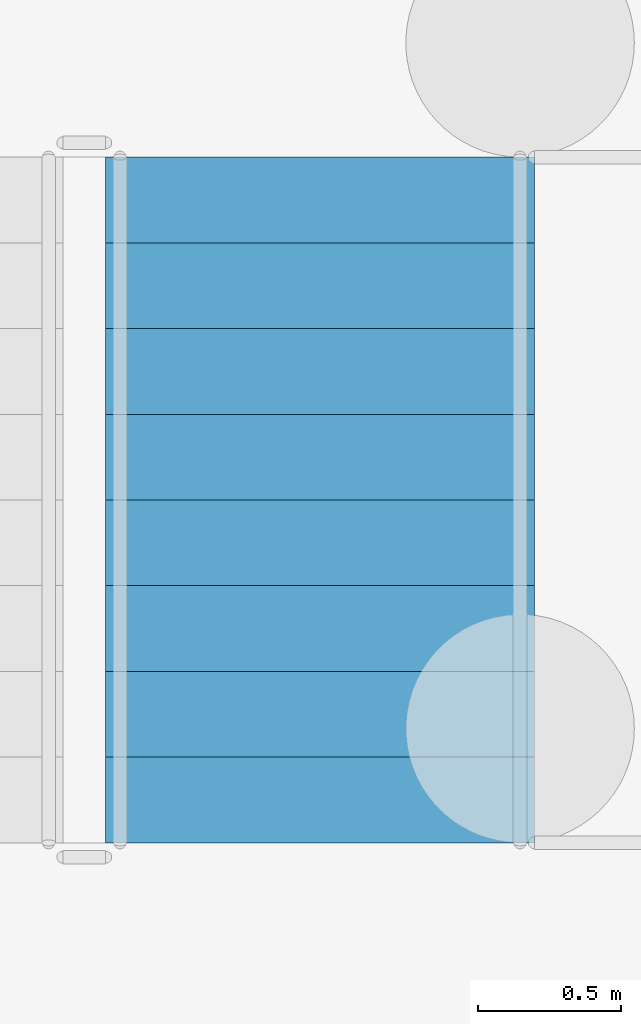
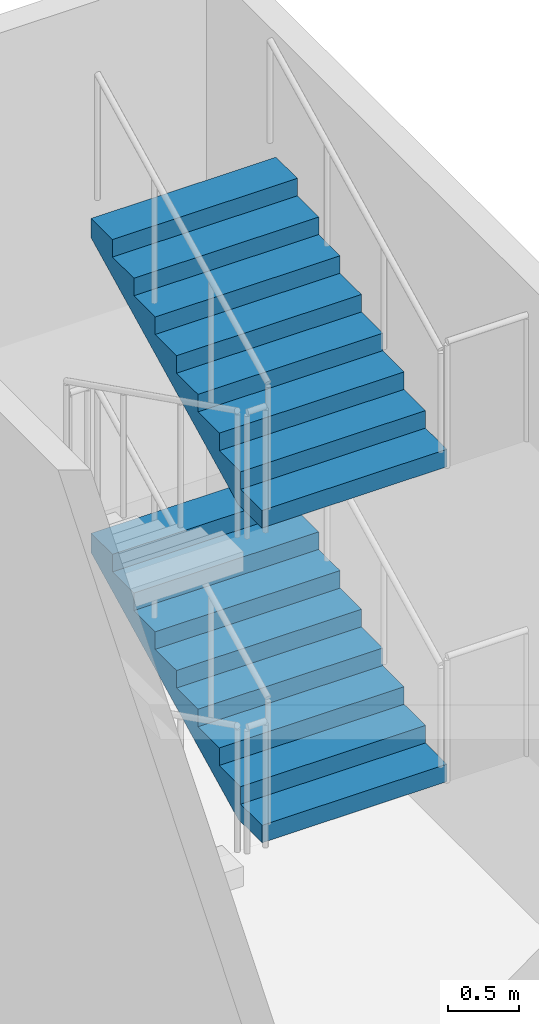
# One storey, part 97 of 129: 2 stair flights, 1 element without a shape of its own.
"""IFC4 building model written with IfcOpenShell, lengths in metres."""

from ifc_helpers import new_model, si_unit, direction, frame, origin, place, context, subcontext, project, spatial, faceted_brep, material, type_object, element, aggregate, save


model = new_model("IFC4")

# Units and contexts
model_context = context("Model", 3, precision=1e-05, world=origin(), true_north=direction((0.0, 1.0)))
body_context = subcontext(model_context, "Body", "Model", "MODEL_VIEW")
ifc_project = project(units=[si_unit("LENGTHUNIT", "METRE"), si_unit("AREAUNIT", "SQUARE_METRE"), si_unit("VOLUMEUNIT", "CUBIC_METRE"), si_unit("PLANEANGLEUNIT", "RADIAN"), si_unit("MASSUNIT", "GRAM", prefix="KILO")], contexts=[model_context])

# Site, building, storey
site_placement = place(None, origin())
site = spatial("IfcSite", under=ifc_project, at=site_placement, CompositionType="ELEMENT")
building_placement = place(site_placement, origin())
building = spatial("IfcBuilding", under=site, at=building_placement, Name="Kiln Court Media Centre", CompositionType="ELEMENT")
storey_placement = place(building_placement, origin())
storey = spatial("IfcBuildingStorey", under=building, at=storey_placement, Name="L00", CompositionType="ELEMENT", Elevation=0.0)

# Stair, stair flights
ifc_material_1 = material(Name="Concrete C40/50", Category="concrete")
stair_type = type_object("IfcStairType", Name="Concrete C40/50 dog-leg stair 1500 wide, 150 riser", PredefinedType="HALF_TURN_STAIR", material=ifc_material_1)
stair_placement = place(storey_placement, origin())
stair = element("IfcStair", 1, at=stair_placement, inside=storey, type_object=stair_type, Name="ST-17 L00", PredefinedType="HALF_TURN_STAIR")
ifc_material_2 = material(Name="Concrete C40/50", Category="concrete")
stair_flight_type = type_object("IfcStairFlightType", Name="Concrete C40/50 stair flight 1500 wide, 150 riser, 300 going", PredefinedType="STRAIGHT", material=ifc_material_2)
stair_flight_1_placement = place(storey_placement, frame((166.39990234375, 20.5, 1.35009765625), z_axis=(0.0, 0.0, 1.0), x_axis=(0.0, 1.0, 0.0)))
stair_flight_1 = element("IfcStairFlight", 2, at=stair_flight_1_placement, type_object=stair_flight_type, Name="L00-ST-5016 flight 5065", NumberOfRisers=9, NumberOfTreads=8, PredefinedType="STRAIGHT", RiserHeight=0.15, TreadLength=0.3, context=body_context, shape_type="Brep", body=[
    faceted_brep([(0.335205078125, -0.75, 0.0), (2.39990234375, -0.75, 1.032470703125), (2.39990234375, -0.75, 1.199951171875), (2.10009765625, -0.75, 1.199951171875), (2.10009765625, -0.75, 1.050048828125), (1.800048828125, -0.75, 1.050048828125), (1.800048828125, -0.75, 0.89990234375), (1.5, -0.75, 0.89990234375), (1.5, -0.75, 0.75), (1.199951171875, -0.75, 0.75), (1.199951171875, -0.75, 0.60009765625), (0.89990234375, -0.75, 0.60009765625), (0.89990234375, -0.75, 0.449951171875), (0.60009765625, -0.75, 0.449951171875), (0.60009765625, -0.75, 0.300048828125), (0.300048828125, -0.75, 0.300048828125), (0.300048828125, -0.75, 0.14990234375), (0.0, -0.75, 0.14990234375), (0.0, -0.75, 0.0), (0.0, 0.75, 0.0), (0.0, 0.75, 0.14990234375), (0.300048828125, 0.75, 0.14990234375), (0.300048828125, 0.75, 0.300048828125), (0.60009765625, 0.75, 0.300048828125), (0.60009765625, 0.75, 0.449951171875), (0.89990234375, 0.75, 0.449951171875), (0.89990234375, 0.75, 0.60009765625), (1.199951171875, 0.75, 0.60009765625), (1.199951171875, 0.75, 0.75), (1.5, 0.75, 0.75), (1.5, 0.75, 0.89990234375), (1.800048828125, 0.75, 0.89990234375), (1.800048828125, 0.75, 1.050048828125), (2.10009765625, 0.75, 1.050048828125), (2.10009765625, 0.75, 1.199951171875), (2.39990234375, 0.75, 1.199951171875), (2.39990234375, 0.75, 1.032470703125), (0.335205078125, 0.75, 0.0), (2.39990234375, 0.10009765625, 1.032470703125), (0.335205078125, 0.10009765625, 0.0), (2.39990234375, 0.080078125, 1.032470703125), (0.335205078125, 0.080078125, 0.0), (2.39990234375, 0.06005859375, 1.032470703125), (0.335205078125, 0.06005859375, 0.0), (2.39990234375, 0.0400390625, 1.032470703125), (0.335205078125, 0.0400390625, 0.0), (2.39990234375, 0.02001953125, 1.032470703125), (0.335205078125, 0.02001953125, 0.0), (2.39990234375, 0.0, 1.032470703125), (0.335205078125, 0.0, 0.0), (2.39990234375, -0.02001953125, 1.032470703125), (0.335205078125, -0.02001953125, 0.0), (2.39990234375, -0.0400390625, 1.032470703125), (0.335205078125, -0.0400390625, 0.0), (2.39990234375, -0.06005859375, 1.032470703125), (0.335205078125, -0.06005859375, 0.0), (2.39990234375, -0.080078125, 1.032470703125), (0.335205078125, -0.080078125, 0.0), (2.39990234375, -0.10009765625, 1.032470703125), (0.335205078125, -0.10009765625, 0.0), (2.39990234375, 0.10009765625, 1.199951171875), (2.39990234375, 0.080078125, 1.199951171875), (2.39990234375, 0.06005859375, 1.199951171875), (2.39990234375, 0.0400390625, 1.199951171875), (2.39990234375, 0.02001953125, 1.199951171875), (2.39990234375, 0.0, 1.199951171875), (2.39990234375, -0.02001953125, 1.199951171875), (2.39990234375, -0.0400390625, 1.199951171875), (2.39990234375, -0.06005859375, 1.199951171875), (2.39990234375, -0.080078125, 1.199951171875), (2.39990234375, -0.10009765625, 1.199951171875), (2.10009765625, 0.10009765625, 1.199951171875), (2.10009765625, 0.080078125, 1.199951171875), (2.10009765625, 0.06005859375, 1.199951171875), (2.10009765625, 0.0400390625, 1.199951171875), (2.10009765625, 0.02001953125, 1.199951171875), (2.10009765625, 0.0, 1.199951171875), (2.10009765625, -0.02001953125, 1.199951171875), (2.10009765625, -0.0400390625, 1.199951171875), (2.10009765625, -0.06005859375, 1.199951171875), (2.10009765625, -0.080078125, 1.199951171875), (2.10009765625, -0.10009765625, 1.199951171875), (2.10009765625, 0.10009765625, 1.050048828125), (2.10009765625, 0.080078125, 1.050048828125), (2.10009765625, 0.06005859375, 1.050048828125), (2.10009765625, 0.0400390625, 1.050048828125), (2.10009765625, 0.02001953125, 1.050048828125), (2.10009765625, 0.0, 1.050048828125), (2.10009765625, -0.02001953125, 1.050048828125), (2.10009765625, -0.0400390625, 1.050048828125), (2.10009765625, -0.06005859375, 1.050048828125), (2.10009765625, -0.080078125, 1.050048828125), (2.10009765625, -0.10009765625, 1.050048828125), (1.800048828125, 0.10009765625, 1.050048828125), (1.800048828125, 0.080078125, 1.050048828125), (1.800048828125, 0.06005859375, 1.050048828125), (1.800048828125, 0.0400390625, 1.050048828125), (1.800048828125, 0.02001953125, 1.050048828125), (1.800048828125, 0.0, 1.050048828125), (1.800048828125, -0.02001953125, 1.050048828125), (1.800048828125, -0.0400390625, 1.050048828125), (1.800048828125, -0.06005859375, 1.050048828125), (1.800048828125, -0.080078125, 1.050048828125), (1.800048828125, -0.10009765625, 1.050048828125), (1.800048828125, 0.10009765625, 0.89990234375), (1.800048828125, 0.080078125, 0.89990234375), (1.800048828125, 0.06005859375, 0.89990234375), (1.800048828125, 0.0400390625, 0.89990234375), (1.800048828125, 0.02001953125, 0.89990234375), (1.800048828125, 0.0, 0.89990234375), (1.800048828125, -0.02001953125, 0.89990234375), (1.800048828125, -0.0400390625, 0.89990234375), (1.800048828125, -0.06005859375, 0.89990234375), (1.800048828125, -0.080078125, 0.89990234375), (1.800048828125, -0.10009765625, 0.89990234375), (1.5, 0.10009765625, 0.89990234375), (1.5, 0.080078125, 0.89990234375), (1.5, 0.06005859375, 0.89990234375), (1.5, 0.0400390625, 0.89990234375), (1.5, 0.02001953125, 0.89990234375), (1.5, 0.0, 0.89990234375), (1.5, -0.02001953125, 0.89990234375), (1.5, -0.0400390625, 0.89990234375), (1.5, -0.06005859375, 0.89990234375), (1.5, -0.080078125, 0.89990234375), (1.5, -0.10009765625, 0.89990234375), (1.5, 0.10009765625, 0.75), (1.5, 0.080078125, 0.75), (1.5, 0.06005859375, 0.75), (1.5, 0.0400390625, 0.75), (1.5, 0.02001953125, 0.75), (1.5, 0.0, 0.75), (1.5, -0.02001953125, 0.75), (1.5, -0.0400390625, 0.75), (1.5, -0.06005859375, 0.75), (1.5, -0.080078125, 0.75), (1.5, -0.10009765625, 0.75), (1.199951171875, 0.10009765625, 0.75), (1.199951171875, 0.080078125, 0.75), (1.199951171875, 0.06005859375, 0.75), (1.199951171875, 0.0400390625, 0.75), (1.199951171875, 0.02001953125, 0.75), (1.199951171875, 0.0, 0.75), (1.199951171875, -0.02001953125, 0.75), (1.199951171875, -0.0400390625, 0.75), (1.199951171875, -0.06005859375, 0.75), (1.199951171875, -0.080078125, 0.75), (1.199951171875, -0.10009765625, 0.75), (1.199951171875, 0.10009765625, 0.60009765625), (1.199951171875, 0.080078125, 0.60009765625), (1.199951171875, 0.06005859375, 0.60009765625), (1.199951171875, 0.0400390625, 0.60009765625), (1.199951171875, 0.02001953125, 0.60009765625), (1.199951171875, 0.0, 0.60009765625), (1.199951171875, -0.02001953125, 0.60009765625), (1.199951171875, -0.0400390625, 0.60009765625), (1.199951171875, -0.06005859375, 0.60009765625), (1.199951171875, -0.080078125, 0.60009765625), (1.199951171875, -0.10009765625, 0.60009765625), (0.89990234375, 0.10009765625, 0.60009765625), (0.89990234375, 0.080078125, 0.60009765625), (0.89990234375, 0.06005859375, 0.60009765625), (0.89990234375, 0.0400390625, 0.60009765625), (0.89990234375, 0.02001953125, 0.60009765625), (0.89990234375, 0.0, 0.60009765625), (0.89990234375, -0.02001953125, 0.60009765625), (0.89990234375, -0.0400390625, 0.60009765625), (0.89990234375, -0.06005859375, 0.60009765625), (0.89990234375, -0.080078125, 0.60009765625), (0.89990234375, -0.10009765625, 0.60009765625), (0.89990234375, 0.10009765625, 0.449951171875), (0.89990234375, 0.080078125, 0.449951171875), (0.89990234375, 0.06005859375, 0.449951171875), (0.89990234375, 0.0400390625, 0.449951171875), (0.89990234375, 0.02001953125, 0.449951171875), (0.89990234375, 0.0, 0.449951171875), (0.89990234375, -0.02001953125, 0.449951171875), (0.89990234375, -0.0400390625, 0.449951171875), (0.89990234375, -0.06005859375, 0.449951171875), (0.89990234375, -0.080078125, 0.449951171875), (0.89990234375, -0.10009765625, 0.449951171875), (0.60009765625, 0.10009765625, 0.449951171875), (0.60009765625, 0.080078125, 0.449951171875), (0.60009765625, 0.06005859375, 0.449951171875), (0.60009765625, 0.0400390625, 0.449951171875), (0.60009765625, 0.02001953125, 0.449951171875), (0.60009765625, 0.0, 0.449951171875), (0.60009765625, -0.02001953125, 0.449951171875), (0.60009765625, -0.0400390625, 0.449951171875), (0.60009765625, -0.06005859375, 0.449951171875), (0.60009765625, -0.080078125, 0.449951171875), (0.60009765625, -0.10009765625, 0.449951171875), (0.60009765625, 0.10009765625, 0.300048828125), (0.60009765625, 0.080078125, 0.300048828125), (0.60009765625, 0.06005859375, 0.300048828125), (0.60009765625, 0.0400390625, 0.300048828125), (0.60009765625, 0.02001953125, 0.300048828125), (0.60009765625, 0.0, 0.300048828125), (0.60009765625, -0.02001953125, 0.300048828125), (0.60009765625, -0.0400390625, 0.300048828125), (0.60009765625, -0.06005859375, 0.300048828125), (0.60009765625, -0.080078125, 0.300048828125), (0.60009765625, -0.10009765625, 0.300048828125), (0.300048828125, 0.10009765625, 0.300048828125), (0.300048828125, 0.080078125, 0.300048828125), (0.300048828125, 0.06005859375, 0.300048828125), (0.300048828125, 0.0400390625, 0.300048828125), (0.300048828125, 0.02001953125, 0.300048828125), (0.300048828125, 0.0, 0.300048828125), (0.300048828125, -0.02001953125, 0.300048828125), (0.300048828125, -0.0400390625, 0.300048828125), (0.300048828125, -0.06005859375, 0.300048828125), (0.300048828125, -0.080078125, 0.300048828125), (0.300048828125, -0.10009765625, 0.300048828125), (0.300048828125, 0.10009765625, 0.14990234375), (0.300048828125, 0.080078125, 0.14990234375), (0.300048828125, 0.06005859375, 0.14990234375), (0.300048828125, 0.0400390625, 0.14990234375), (0.300048828125, 0.02001953125, 0.14990234375), (0.300048828125, 0.0, 0.14990234375), (0.300048828125, -0.02001953125, 0.14990234375), (0.300048828125, -0.0400390625, 0.14990234375), (0.300048828125, -0.06005859375, 0.14990234375), (0.300048828125, -0.080078125, 0.14990234375), (0.300048828125, -0.10009765625, 0.14990234375), (0.0, 0.10009765625, 0.14990234375), (0.0, 0.080078125, 0.14990234375), (0.0, 0.06005859375, 0.14990234375), (0.0, 0.0400390625, 0.14990234375), (0.0, 0.02001953125, 0.14990234375), (0.0, 0.0, 0.14990234375), (0.0, -0.02001953125, 0.14990234375), (0.0, -0.0400390625, 0.14990234375), (0.0, -0.06005859375, 0.14990234375), (0.0, -0.080078125, 0.14990234375), (0.0, -0.10009765625, 0.14990234375), (0.0, 0.10009765625, 0.0), (0.0, 0.080078125, 0.0), (0.0, 0.06005859375, 0.0), (0.0, 0.0400390625, 0.0), (0.0, 0.02001953125, 0.0), (0.0, 0.0, 0.0), (0.0, -0.02001953125, 0.0), (0.0, -0.0400390625, 0.0), (0.0, -0.06005859375, 0.0), (0.0, -0.080078125, 0.0), (0.0, -0.10009765625, 0.0)], [[[0, 1, 2, 3, 4, 5, 6, 7, 8, 9, 10, 11, 12, 13, 14, 15, 16, 17, 18]], [[19, 20, 21, 22, 23, 24, 25, 26, 27, 28, 29, 30, 31, 32, 33, 34, 35, 36, 37]], [[37, 36, 38, 39]], [[39, 38, 40, 41]], [[41, 40, 42, 43]], [[43, 42, 44, 45]], [[45, 44, 46, 47]], [[47, 46, 48, 49]], [[49, 48, 50, 51]], [[51, 50, 52, 53]], [[53, 52, 54, 55]], [[55, 54, 56, 57]], [[57, 56, 58, 59]], [[59, 58, 1, 0]], [[36, 35, 60, 38]], [[38, 60, 61, 40]], [[40, 61, 62, 42]], [[42, 62, 63, 44]], [[44, 63, 64, 46]], [[46, 64, 65, 48]], [[48, 65, 66, 50]], [[50, 66, 67, 52]], [[52, 67, 68, 54]], [[54, 68, 69, 56]], [[56, 69, 70, 58]], [[58, 70, 2, 1]], [[35, 34, 71, 60]], [[60, 71, 72, 61]], [[61, 72, 73, 62]], [[62, 73, 74, 63]], [[63, 74, 75, 64]], [[64, 75, 76, 65]], [[65, 76, 77, 66]], [[66, 77, 78, 67]], [[67, 78, 79, 68]], [[68, 79, 80, 69]], [[69, 80, 81, 70]], [[70, 81, 3, 2]], [[34, 33, 82, 71]], [[71, 82, 83, 72]], [[72, 83, 84, 73]], [[73, 84, 85, 74]], [[74, 85, 86, 75]], [[75, 86, 87, 76]], [[76, 87, 88, 77]], [[77, 88, 89, 78]], [[78, 89, 90, 79]], [[79, 90, 91, 80]], [[80, 91, 92, 81]], [[81, 92, 4, 3]], [[33, 32, 93, 82]], [[82, 93, 94, 83]], [[83, 94, 95, 84]], [[84, 95, 96, 85]], [[85, 96, 97, 86]], [[86, 97, 98, 87]], [[87, 98, 99, 88]], [[88, 99, 100, 89]], [[89, 100, 101, 90]], [[90, 101, 102, 91]], [[91, 102, 103, 92]], [[92, 103, 5, 4]], [[32, 31, 104, 93]], [[93, 104, 105, 94]], [[94, 105, 106, 95]], [[95, 106, 107, 96]], [[96, 107, 108, 97]], [[97, 108, 109, 98]], [[98, 109, 110, 99]], [[99, 110, 111, 100]], [[100, 111, 112, 101]], [[101, 112, 113, 102]], [[102, 113, 114, 103]], [[103, 114, 6, 5]], [[31, 30, 115, 104]], [[104, 115, 116, 105]], [[105, 116, 117, 106]], [[106, 117, 118, 107]], [[107, 118, 119, 108]], [[108, 119, 120, 109]], [[109, 120, 121, 110]], [[110, 121, 122, 111]], [[111, 122, 123, 112]], [[112, 123, 124, 113]], [[113, 124, 125, 114]], [[114, 125, 7, 6]], [[30, 29, 126, 115]], [[115, 126, 127, 116]], [[116, 127, 128, 117]], [[117, 128, 129, 118]], [[118, 129, 130, 119]], [[119, 130, 131, 120]], [[120, 131, 132, 121]], [[121, 132, 133, 122]], [[122, 133, 134, 123]], [[123, 134, 135, 124]], [[124, 135, 136, 125]], [[125, 136, 8, 7]], [[29, 28, 137, 126]], [[126, 137, 138, 127]], [[127, 138, 139, 128]], [[128, 139, 140, 129]], [[129, 140, 141, 130]], [[130, 141, 142, 131]], [[131, 142, 143, 132]], [[132, 143, 144, 133]], [[133, 144, 145, 134]], [[134, 145, 146, 135]], [[135, 146, 147, 136]], [[136, 147, 9, 8]], [[28, 27, 148, 137]], [[137, 148, 149, 138]], [[138, 149, 150, 139]], [[139, 150, 151, 140]], [[140, 151, 152, 141]], [[141, 152, 153, 142]], [[142, 153, 154, 143]], [[143, 154, 155, 144]], [[144, 155, 156, 145]], [[145, 156, 157, 146]], [[146, 157, 158, 147]], [[147, 158, 10, 9]], [[27, 26, 159, 148]], [[148, 159, 160, 149]], [[149, 160, 161, 150]], [[150, 161, 162, 151]], [[151, 162, 163, 152]], [[152, 163, 164, 153]], [[153, 164, 165, 154]], [[154, 165, 166, 155]], [[155, 166, 167, 156]], [[156, 167, 168, 157]], [[157, 168, 169, 158]], [[158, 169, 11, 10]], [[26, 25, 170, 159]], [[159, 170, 171, 160]], [[160, 171, 172, 161]], [[161, 172, 173, 162]], [[162, 173, 174, 163]], [[163, 174, 175, 164]], [[164, 175, 176, 165]], [[165, 176, 177, 166]], [[166, 177, 178, 167]], [[167, 178, 179, 168]], [[168, 179, 180, 169]], [[169, 180, 12, 11]], [[25, 24, 181, 170]], [[170, 181, 182, 171]], [[171, 182, 183, 172]], [[172, 183, 184, 173]], [[173, 184, 185, 174]], [[174, 185, 186, 175]], [[175, 186, 187, 176]], [[176, 187, 188, 177]], [[177, 188, 189, 178]], [[178, 189, 190, 179]], [[179, 190, 191, 180]], [[180, 191, 13, 12]], [[24, 23, 192, 181]], [[181, 192, 193, 182]], [[182, 193, 194, 183]], [[183, 194, 195, 184]], [[184, 195, 196, 185]], [[185, 196, 197, 186]], [[186, 197, 198, 187]], [[187, 198, 199, 188]], [[188, 199, 200, 189]], [[189, 200, 201, 190]], [[190, 201, 202, 191]], [[191, 202, 14, 13]], [[23, 22, 203, 192]], [[192, 203, 204, 193]], [[193, 204, 205, 194]], [[194, 205, 206, 195]], [[195, 206, 207, 196]], [[196, 207, 208, 197]], [[197, 208, 209, 198]], [[198, 209, 210, 199]], [[199, 210, 211, 200]], [[200, 211, 212, 201]], [[201, 212, 213, 202]], [[202, 213, 15, 14]], [[22, 21, 214, 203]], [[203, 214, 215, 204]], [[204, 215, 216, 205]], [[205, 216, 217, 206]], [[206, 217, 218, 207]], [[207, 218, 219, 208]], [[208, 219, 220, 209]], [[209, 220, 221, 210]], [[210, 221, 222, 211]], [[211, 222, 223, 212]], [[212, 223, 224, 213]], [[213, 224, 16, 15]], [[21, 20, 225, 214]], [[214, 225, 226, 215]], [[215, 226, 227, 216]], [[216, 227, 228, 217]], [[217, 228, 229, 218]], [[218, 229, 230, 219]], [[219, 230, 231, 220]], [[220, 231, 232, 221]], [[221, 232, 233, 222]], [[222, 233, 234, 223]], [[223, 234, 235, 224]], [[224, 235, 17, 16]], [[20, 19, 236, 225]], [[225, 236, 237, 226]], [[226, 237, 238, 227]], [[227, 238, 239, 228]], [[228, 239, 240, 229]], [[229, 240, 241, 230]], [[230, 241, 242, 231]], [[231, 242, 243, 232]], [[232, 243, 244, 233]], [[233, 244, 245, 234]], [[234, 245, 246, 235]], [[235, 246, 18, 17]], [[19, 37, 39, 236]], [[236, 39, 41, 237]], [[237, 41, 43, 238]], [[238, 43, 45, 239]], [[239, 45, 47, 240]], [[240, 47, 49, 241]], [[241, 49, 51, 242]], [[242, 51, 53, 243]], [[243, 53, 55, 244]], [[244, 55, 57, 245]], [[245, 57, 59, 246]], [[246, 59, 0, 18]]]),
])
stair_flight_2_placement = place(storey_placement, frame((166.39990234375, 20.5, 4.050048828125), z_axis=(0.0, 0.0, 1.0), x_axis=(0.0, 1.0, 0.0)))
stair_flight_2 = element("IfcStairFlight", 3, at=stair_flight_2_placement, type_object=stair_flight_type, Name="L00-ST-5016 flight 5067", NumberOfRisers=9, NumberOfTreads=8, PredefinedType="STRAIGHT", RiserHeight=0.15, TreadLength=0.3, context=body_context, shape_type="Brep", body=[
    faceted_brep([(0.335205078125, -0.75, 0.0), (2.39990234375, -0.75, 1.032470703125), (2.39990234375, -0.75, 1.199951171875), (2.10009765625, -0.75, 1.199951171875), (2.10009765625, -0.75, 1.050048828125), (1.800048828125, -0.75, 1.050048828125), (1.800048828125, -0.75, 0.89990234375), (1.5, -0.75, 0.89990234375), (1.5, -0.75, 0.75), (1.199951171875, -0.75, 0.75), (1.199951171875, -0.75, 0.60009765625), (0.89990234375, -0.75, 0.60009765625), (0.89990234375, -0.75, 0.449951171875), (0.60009765625, -0.75, 0.449951171875), (0.60009765625, -0.75, 0.300048828125), (0.300048828125, -0.75, 0.300048828125), (0.300048828125, -0.75, 0.14990234375), (0.0, -0.75, 0.14990234375), (0.0, -0.75, 0.0), (0.0, 0.75, 0.0), (0.0, 0.75, 0.14990234375), (0.300048828125, 0.75, 0.14990234375), (0.300048828125, 0.75, 0.300048828125), (0.60009765625, 0.75, 0.300048828125), (0.60009765625, 0.75, 0.449951171875), (0.89990234375, 0.75, 0.449951171875), (0.89990234375, 0.75, 0.60009765625), (1.199951171875, 0.75, 0.60009765625), (1.199951171875, 0.75, 0.75), (1.5, 0.75, 0.75), (1.5, 0.75, 0.89990234375), (1.800048828125, 0.75, 0.89990234375), (1.800048828125, 0.75, 1.050048828125), (2.10009765625, 0.75, 1.050048828125), (2.10009765625, 0.75, 1.199951171875), (2.39990234375, 0.75, 1.199951171875), (2.39990234375, 0.75, 1.032470703125), (0.335205078125, 0.75, 0.0), (2.39990234375, 0.10009765625, 1.032470703125), (0.335205078125, 0.10009765625, 0.0), (2.39990234375, 0.080078125, 1.032470703125), (0.335205078125, 0.080078125, 0.0), (2.39990234375, 0.06005859375, 1.032470703125), (0.335205078125, 0.06005859375, 0.0), (2.39990234375, 0.0400390625, 1.032470703125), (0.335205078125, 0.0400390625, 0.0), (2.39990234375, 0.02001953125, 1.032470703125), (0.335205078125, 0.02001953125, 0.0), (2.39990234375, 0.0, 1.032470703125), (0.335205078125, 0.0, 0.0), (2.39990234375, -0.02001953125, 1.032470703125), (0.335205078125, -0.02001953125, 0.0), (2.39990234375, -0.0400390625, 1.032470703125), (0.335205078125, -0.0400390625, 0.0), (2.39990234375, -0.06005859375, 1.032470703125), (0.335205078125, -0.06005859375, 0.0), (2.39990234375, -0.080078125, 1.032470703125), (0.335205078125, -0.080078125, 0.0), (2.39990234375, -0.10009765625, 1.032470703125), (0.335205078125, -0.10009765625, 0.0), (2.39990234375, 0.10009765625, 1.199951171875), (2.39990234375, 0.080078125, 1.199951171875), (2.39990234375, 0.06005859375, 1.199951171875), (2.39990234375, 0.0400390625, 1.199951171875), (2.39990234375, 0.02001953125, 1.199951171875), (2.39990234375, 0.0, 1.199951171875), (2.39990234375, -0.02001953125, 1.199951171875), (2.39990234375, -0.0400390625, 1.199951171875), (2.39990234375, -0.06005859375, 1.199951171875), (2.39990234375, -0.080078125, 1.199951171875), (2.39990234375, -0.10009765625, 1.199951171875), (2.10009765625, 0.10009765625, 1.199951171875), (2.10009765625, 0.080078125, 1.199951171875), (2.10009765625, 0.06005859375, 1.199951171875), (2.10009765625, 0.0400390625, 1.199951171875), (2.10009765625, 0.02001953125, 1.199951171875), (2.10009765625, 0.0, 1.199951171875), (2.10009765625, -0.02001953125, 1.199951171875), (2.10009765625, -0.0400390625, 1.199951171875), (2.10009765625, -0.06005859375, 1.199951171875), (2.10009765625, -0.080078125, 1.199951171875), (2.10009765625, -0.10009765625, 1.199951171875), (2.10009765625, 0.10009765625, 1.050048828125), (2.10009765625, 0.080078125, 1.050048828125), (2.10009765625, 0.06005859375, 1.050048828125), (2.10009765625, 0.0400390625, 1.050048828125), (2.10009765625, 0.02001953125, 1.050048828125), (2.10009765625, 0.0, 1.050048828125), (2.10009765625, -0.02001953125, 1.050048828125), (2.10009765625, -0.0400390625, 1.050048828125), (2.10009765625, -0.06005859375, 1.050048828125), (2.10009765625, -0.080078125, 1.050048828125), (2.10009765625, -0.10009765625, 1.050048828125), (1.800048828125, 0.10009765625, 1.050048828125), (1.800048828125, 0.080078125, 1.050048828125), (1.800048828125, 0.06005859375, 1.050048828125), (1.800048828125, 0.0400390625, 1.050048828125), (1.800048828125, 0.02001953125, 1.050048828125), (1.800048828125, 0.0, 1.050048828125), (1.800048828125, -0.02001953125, 1.050048828125), (1.800048828125, -0.0400390625, 1.050048828125), (1.800048828125, -0.06005859375, 1.050048828125), (1.800048828125, -0.080078125, 1.050048828125), (1.800048828125, -0.10009765625, 1.050048828125), (1.800048828125, 0.10009765625, 0.89990234375), (1.800048828125, 0.080078125, 0.89990234375), (1.800048828125, 0.06005859375, 0.89990234375), (1.800048828125, 0.0400390625, 0.89990234375), (1.800048828125, 0.02001953125, 0.89990234375), (1.800048828125, 0.0, 0.89990234375), (1.800048828125, -0.02001953125, 0.89990234375), (1.800048828125, -0.0400390625, 0.89990234375), (1.800048828125, -0.06005859375, 0.89990234375), (1.800048828125, -0.080078125, 0.89990234375), (1.800048828125, -0.10009765625, 0.89990234375), (1.5, 0.10009765625, 0.89990234375), (1.5, 0.080078125, 0.89990234375), (1.5, 0.06005859375, 0.89990234375), (1.5, 0.0400390625, 0.89990234375), (1.5, 0.02001953125, 0.89990234375), (1.5, 0.0, 0.89990234375), (1.5, -0.02001953125, 0.89990234375), (1.5, -0.0400390625, 0.89990234375), (1.5, -0.06005859375, 0.89990234375), (1.5, -0.080078125, 0.89990234375), (1.5, -0.10009765625, 0.89990234375), (1.5, 0.10009765625, 0.75), (1.5, 0.080078125, 0.75), (1.5, 0.06005859375, 0.75), (1.5, 0.0400390625, 0.75), (1.5, 0.02001953125, 0.75), (1.5, 0.0, 0.75), (1.5, -0.02001953125, 0.75), (1.5, -0.0400390625, 0.75), (1.5, -0.06005859375, 0.75), (1.5, -0.080078125, 0.75), (1.5, -0.10009765625, 0.75), (1.199951171875, 0.10009765625, 0.75), (1.199951171875, 0.080078125, 0.75), (1.199951171875, 0.06005859375, 0.75), (1.199951171875, 0.0400390625, 0.75), (1.199951171875, 0.02001953125, 0.75), (1.199951171875, 0.0, 0.75), (1.199951171875, -0.02001953125, 0.75), (1.199951171875, -0.0400390625, 0.75), (1.199951171875, -0.06005859375, 0.75), (1.199951171875, -0.080078125, 0.75), (1.199951171875, -0.10009765625, 0.75), (1.199951171875, 0.10009765625, 0.60009765625), (1.199951171875, 0.080078125, 0.60009765625), (1.199951171875, 0.06005859375, 0.60009765625), (1.199951171875, 0.0400390625, 0.60009765625), (1.199951171875, 0.02001953125, 0.60009765625), (1.199951171875, 0.0, 0.60009765625), (1.199951171875, -0.02001953125, 0.60009765625), (1.199951171875, -0.0400390625, 0.60009765625), (1.199951171875, -0.06005859375, 0.60009765625), (1.199951171875, -0.080078125, 0.60009765625), (1.199951171875, -0.10009765625, 0.60009765625), (0.89990234375, 0.10009765625, 0.60009765625), (0.89990234375, 0.080078125, 0.60009765625), (0.89990234375, 0.06005859375, 0.60009765625), (0.89990234375, 0.0400390625, 0.60009765625), (0.89990234375, 0.02001953125, 0.60009765625), (0.89990234375, 0.0, 0.60009765625), (0.89990234375, -0.02001953125, 0.60009765625), (0.89990234375, -0.0400390625, 0.60009765625), (0.89990234375, -0.06005859375, 0.60009765625), (0.89990234375, -0.080078125, 0.60009765625), (0.89990234375, -0.10009765625, 0.60009765625), (0.89990234375, 0.10009765625, 0.449951171875), (0.89990234375, 0.080078125, 0.449951171875), (0.89990234375, 0.06005859375, 0.449951171875), (0.89990234375, 0.0400390625, 0.449951171875), (0.89990234375, 0.02001953125, 0.449951171875), (0.89990234375, 0.0, 0.449951171875), (0.89990234375, -0.02001953125, 0.449951171875), (0.89990234375, -0.0400390625, 0.449951171875), (0.89990234375, -0.06005859375, 0.449951171875), (0.89990234375, -0.080078125, 0.449951171875), (0.89990234375, -0.10009765625, 0.449951171875), (0.60009765625, 0.10009765625, 0.449951171875), (0.60009765625, 0.080078125, 0.449951171875), (0.60009765625, 0.06005859375, 0.449951171875), (0.60009765625, 0.0400390625, 0.449951171875), (0.60009765625, 0.02001953125, 0.449951171875), (0.60009765625, 0.0, 0.449951171875), (0.60009765625, -0.02001953125, 0.449951171875), (0.60009765625, -0.0400390625, 0.449951171875), (0.60009765625, -0.06005859375, 0.449951171875), (0.60009765625, -0.080078125, 0.449951171875), (0.60009765625, -0.10009765625, 0.449951171875), (0.60009765625, 0.10009765625, 0.300048828125), (0.60009765625, 0.080078125, 0.300048828125), (0.60009765625, 0.06005859375, 0.300048828125), (0.60009765625, 0.0400390625, 0.300048828125), (0.60009765625, 0.02001953125, 0.300048828125), (0.60009765625, 0.0, 0.300048828125), (0.60009765625, -0.02001953125, 0.300048828125), (0.60009765625, -0.0400390625, 0.300048828125), (0.60009765625, -0.06005859375, 0.300048828125), (0.60009765625, -0.080078125, 0.300048828125), (0.60009765625, -0.10009765625, 0.300048828125), (0.300048828125, 0.10009765625, 0.300048828125), (0.300048828125, 0.080078125, 0.300048828125), (0.300048828125, 0.06005859375, 0.300048828125), (0.300048828125, 0.0400390625, 0.300048828125), (0.300048828125, 0.02001953125, 0.300048828125), (0.300048828125, 0.0, 0.300048828125), (0.300048828125, -0.02001953125, 0.300048828125), (0.300048828125, -0.0400390625, 0.300048828125), (0.300048828125, -0.06005859375, 0.300048828125), (0.300048828125, -0.080078125, 0.300048828125), (0.300048828125, -0.10009765625, 0.300048828125), (0.300048828125, 0.10009765625, 0.14990234375), (0.300048828125, 0.080078125, 0.14990234375), (0.300048828125, 0.06005859375, 0.14990234375), (0.300048828125, 0.0400390625, 0.14990234375), (0.300048828125, 0.02001953125, 0.14990234375), (0.300048828125, 0.0, 0.14990234375), (0.300048828125, -0.02001953125, 0.14990234375), (0.300048828125, -0.0400390625, 0.14990234375), (0.300048828125, -0.06005859375, 0.14990234375), (0.300048828125, -0.080078125, 0.14990234375), (0.300048828125, -0.10009765625, 0.14990234375), (0.0, 0.10009765625, 0.14990234375), (0.0, 0.080078125, 0.14990234375), (0.0, 0.06005859375, 0.14990234375), (0.0, 0.0400390625, 0.14990234375), (0.0, 0.02001953125, 0.14990234375), (0.0, 0.0, 0.14990234375), (0.0, -0.02001953125, 0.14990234375), (0.0, -0.0400390625, 0.14990234375), (0.0, -0.06005859375, 0.14990234375), (0.0, -0.080078125, 0.14990234375), (0.0, -0.10009765625, 0.14990234375), (0.0, 0.10009765625, 0.0), (0.0, 0.080078125, 0.0), (0.0, 0.06005859375, 0.0), (0.0, 0.0400390625, 0.0), (0.0, 0.02001953125, 0.0), (0.0, 0.0, 0.0), (0.0, -0.02001953125, 0.0), (0.0, -0.0400390625, 0.0), (0.0, -0.06005859375, 0.0), (0.0, -0.080078125, 0.0), (0.0, -0.10009765625, 0.0)], [[[0, 1, 2, 3, 4, 5, 6, 7, 8, 9, 10, 11, 12, 13, 14, 15, 16, 17, 18]], [[19, 20, 21, 22, 23, 24, 25, 26, 27, 28, 29, 30, 31, 32, 33, 34, 35, 36, 37]], [[37, 36, 38, 39]], [[39, 38, 40, 41]], [[41, 40, 42, 43]], [[43, 42, 44, 45]], [[45, 44, 46, 47]], [[47, 46, 48, 49]], [[49, 48, 50, 51]], [[51, 50, 52, 53]], [[53, 52, 54, 55]], [[55, 54, 56, 57]], [[57, 56, 58, 59]], [[59, 58, 1, 0]], [[36, 35, 60, 38]], [[38, 60, 61, 40]], [[40, 61, 62, 42]], [[42, 62, 63, 44]], [[44, 63, 64, 46]], [[46, 64, 65, 48]], [[48, 65, 66, 50]], [[50, 66, 67, 52]], [[52, 67, 68, 54]], [[54, 68, 69, 56]], [[56, 69, 70, 58]], [[58, 70, 2, 1]], [[35, 34, 71, 60]], [[60, 71, 72, 61]], [[61, 72, 73, 62]], [[62, 73, 74, 63]], [[63, 74, 75, 64]], [[64, 75, 76, 65]], [[65, 76, 77, 66]], [[66, 77, 78, 67]], [[67, 78, 79, 68]], [[68, 79, 80, 69]], [[69, 80, 81, 70]], [[70, 81, 3, 2]], [[34, 33, 82, 71]], [[71, 82, 83, 72]], [[72, 83, 84, 73]], [[73, 84, 85, 74]], [[74, 85, 86, 75]], [[75, 86, 87, 76]], [[76, 87, 88, 77]], [[77, 88, 89, 78]], [[78, 89, 90, 79]], [[79, 90, 91, 80]], [[80, 91, 92, 81]], [[81, 92, 4, 3]], [[33, 32, 93, 82]], [[82, 93, 94, 83]], [[83, 94, 95, 84]], [[84, 95, 96, 85]], [[85, 96, 97, 86]], [[86, 97, 98, 87]], [[87, 98, 99, 88]], [[88, 99, 100, 89]], [[89, 100, 101, 90]], [[90, 101, 102, 91]], [[91, 102, 103, 92]], [[92, 103, 5, 4]], [[32, 31, 104, 93]], [[93, 104, 105, 94]], [[94, 105, 106, 95]], [[95, 106, 107, 96]], [[96, 107, 108, 97]], [[97, 108, 109, 98]], [[98, 109, 110, 99]], [[99, 110, 111, 100]], [[100, 111, 112, 101]], [[101, 112, 113, 102]], [[102, 113, 114, 103]], [[103, 114, 6, 5]], [[31, 30, 115, 104]], [[104, 115, 116, 105]], [[105, 116, 117, 106]], [[106, 117, 118, 107]], [[107, 118, 119, 108]], [[108, 119, 120, 109]], [[109, 120, 121, 110]], [[110, 121, 122, 111]], [[111, 122, 123, 112]], [[112, 123, 124, 113]], [[113, 124, 125, 114]], [[114, 125, 7, 6]], [[30, 29, 126, 115]], [[115, 126, 127, 116]], [[116, 127, 128, 117]], [[117, 128, 129, 118]], [[118, 129, 130, 119]], [[119, 130, 131, 120]], [[120, 131, 132, 121]], [[121, 132, 133, 122]], [[122, 133, 134, 123]], [[123, 134, 135, 124]], [[124, 135, 136, 125]], [[125, 136, 8, 7]], [[29, 28, 137, 126]], [[126, 137, 138, 127]], [[127, 138, 139, 128]], [[128, 139, 140, 129]], [[129, 140, 141, 130]], [[130, 141, 142, 131]], [[131, 142, 143, 132]], [[132, 143, 144, 133]], [[133, 144, 145, 134]], [[134, 145, 146, 135]], [[135, 146, 147, 136]], [[136, 147, 9, 8]], [[28, 27, 148, 137]], [[137, 148, 149, 138]], [[138, 149, 150, 139]], [[139, 150, 151, 140]], [[140, 151, 152, 141]], [[141, 152, 153, 142]], [[142, 153, 154, 143]], [[143, 154, 155, 144]], [[144, 155, 156, 145]], [[145, 156, 157, 146]], [[146, 157, 158, 147]], [[147, 158, 10, 9]], [[27, 26, 159, 148]], [[148, 159, 160, 149]], [[149, 160, 161, 150]], [[150, 161, 162, 151]], [[151, 162, 163, 152]], [[152, 163, 164, 153]], [[153, 164, 165, 154]], [[154, 165, 166, 155]], [[155, 166, 167, 156]], [[156, 167, 168, 157]], [[157, 168, 169, 158]], [[158, 169, 11, 10]], [[26, 25, 170, 159]], [[159, 170, 171, 160]], [[160, 171, 172, 161]], [[161, 172, 173, 162]], [[162, 173, 174, 163]], [[163, 174, 175, 164]], [[164, 175, 176, 165]], [[165, 176, 177, 166]], [[166, 177, 178, 167]], [[167, 178, 179, 168]], [[168, 179, 180, 169]], [[169, 180, 12, 11]], [[25, 24, 181, 170]], [[170, 181, 182, 171]], [[171, 182, 183, 172]], [[172, 183, 184, 173]], [[173, 184, 185, 174]], [[174, 185, 186, 175]], [[175, 186, 187, 176]], [[176, 187, 188, 177]], [[177, 188, 189, 178]], [[178, 189, 190, 179]], [[179, 190, 191, 180]], [[180, 191, 13, 12]], [[24, 23, 192, 181]], [[181, 192, 193, 182]], [[182, 193, 194, 183]], [[183, 194, 195, 184]], [[184, 195, 196, 185]], [[185, 196, 197, 186]], [[186, 197, 198, 187]], [[187, 198, 199, 188]], [[188, 199, 200, 189]], [[189, 200, 201, 190]], [[190, 201, 202, 191]], [[191, 202, 14, 13]], [[23, 22, 203, 192]], [[192, 203, 204, 193]], [[193, 204, 205, 194]], [[194, 205, 206, 195]], [[195, 206, 207, 196]], [[196, 207, 208, 197]], [[197, 208, 209, 198]], [[198, 209, 210, 199]], [[199, 210, 211, 200]], [[200, 211, 212, 201]], [[201, 212, 213, 202]], [[202, 213, 15, 14]], [[22, 21, 214, 203]], [[203, 214, 215, 204]], [[204, 215, 216, 205]], [[205, 216, 217, 206]], [[206, 217, 218, 207]], [[207, 218, 219, 208]], [[208, 219, 220, 209]], [[209, 220, 221, 210]], [[210, 221, 222, 211]], [[211, 222, 223, 212]], [[212, 223, 224, 213]], [[213, 224, 16, 15]], [[21, 20, 225, 214]], [[214, 225, 226, 215]], [[215, 226, 227, 216]], [[216, 227, 228, 217]], [[217, 228, 229, 218]], [[218, 229, 230, 219]], [[219, 230, 231, 220]], [[220, 231, 232, 221]], [[221, 232, 233, 222]], [[222, 233, 234, 223]], [[223, 234, 235, 224]], [[224, 235, 17, 16]], [[20, 19, 236, 225]], [[225, 236, 237, 226]], [[226, 237, 238, 227]], [[227, 238, 239, 228]], [[228, 239, 240, 229]], [[229, 240, 241, 230]], [[230, 241, 242, 231]], [[231, 242, 243, 232]], [[232, 243, 244, 233]], [[233, 244, 245, 234]], [[234, 245, 246, 235]], [[235, 246, 18, 17]], [[19, 37, 39, 236]], [[236, 39, 41, 237]], [[237, 41, 43, 238]], [[238, 43, 45, 239]], [[239, 45, 47, 240]], [[240, 47, 49, 241]], [[241, 49, 51, 242]], [[242, 51, 53, 243]], [[243, 53, 55, 244]], [[244, 55, 57, 245]], [[245, 57, 59, 246]], [[246, 59, 0, 18]]]),
])
aggregate(stair, [stair_flight_1, stair_flight_2])

save(model, "model.ifc")
